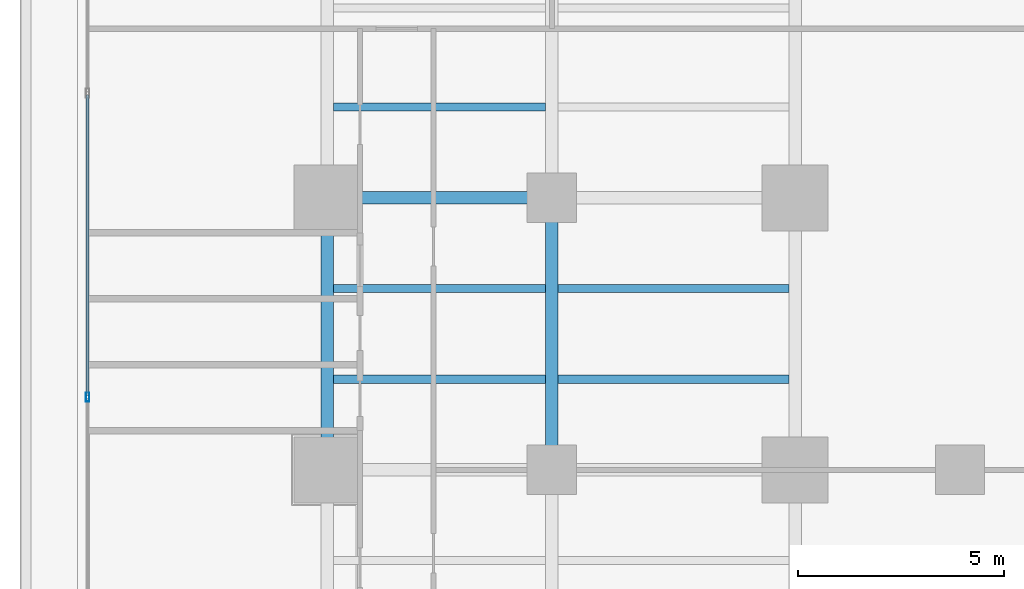
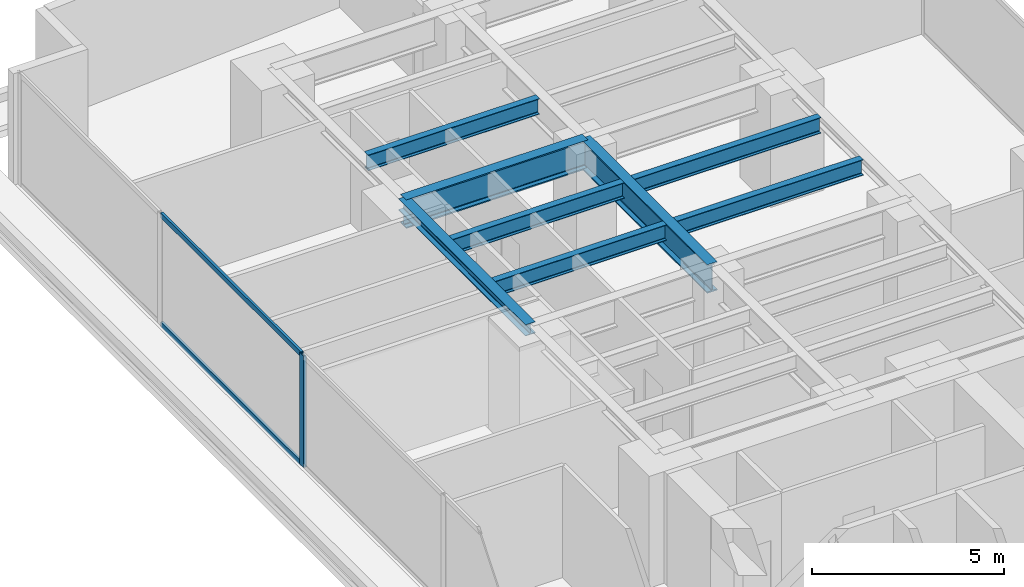
# One storey, part 15 of 29: 8 beams, 3 members, 1 element without a shape of its own.
"""IFC4 building model written with IfcOpenShell, lengths in metres."""

from ifc_helpers import new_model, si_unit, direction, frame, origin, origin_with_axes, origin_2d, place, context, subcontext, project, spatial, hollow_rectangle, i_section, extrude, source, transform, mapped, material, layer, layer_set, material_profile, profile_set, type_object, element, aggregate, save


model = new_model("IFC4")

# Units and contexts
model_context = context("Model", 3, precision=1e-05, world=origin(), true_north=direction((0.0, 1.0)))
body_context = subcontext(model_context, "Body", "Model", "MODEL_VIEW")
ifc_project = project(units=[si_unit("LENGTHUNIT", "METRE"), si_unit("AREAUNIT", "SQUARE_METRE"), si_unit("VOLUMEUNIT", "CUBIC_METRE"), si_unit("PLANEANGLEUNIT", "RADIAN"), si_unit("MASSUNIT", "GRAM", prefix="KILO")], contexts=[model_context])

# Site, building, storey
site_placement = place(None, origin())
site = spatial("IfcSite", under=ifc_project, at=site_placement, CompositionType="ELEMENT")
building_placement = place(site_placement, origin())
building = spatial("IfcBuilding", under=site, at=building_placement, Name="Kolvaren Waterfront Exchange", CompositionType="ELEMENT")
storey_placement = place(building_placement, frame((0.0, 0.0, 29.60009765625)))
storey = spatial("IfcBuildingStorey", under=building, at=storey_placement, Name="L07", CompositionType="ELEMENT", Elevation=29.60009765625)

# Beams
ifc_material_1 = material(Name="Steel S355", Category="steel")
ifc_material_profile_1 = material_profile(ifc_material_1, i_section(OverallWidth=0.300048828125, OverallDepth=0.360107421875, WebThickness=0.012451171875, FlangeThickness=0.0224609375, FilletRadius=0.027099609375, at=origin_2d()), Name="HEB360")
ifc_profile_set_1 = profile_set([ifc_material_profile_1], Name="Steel S355")
beam_type_1 = type_object("IfcBeamType", Name="STR-BM-HEB360", PredefinedType="SPANDREL", material=ifc_profile_set_1)
beam_1_placement = place(storey_placement, frame((7.449951171875, 31.199951171875, 3.35986328125), z_axis=(0.0, 1.0, 0.0), x_axis=(-1.0, 0.0, 0.0)))
element("IfcBeam", 1, at=beam_1_placement, inside=storey, type_object=beam_type_1, Name="L07 north-arm edge beam 2", PredefinedType="SPANDREL", context=body_context, shape_type="SweptSolid", body=[
    extrude(i_section(OverallWidth=0.300048828125, OverallDepth=0.360107421875, WebThickness=0.012451171875, FlangeThickness=0.0224609375, FilletRadius=0.027099609375, at=origin_2d()), origin(), (0.0, 0.0, 1.0), 6.60009765625),
])
ifc_material_profile_2 = material_profile(ifc_material_1, i_section(OverallWidth=0.199951171875, OverallDepth=0.5, WebThickness=0.01025390625, FlangeThickness=0.01611328125, FilletRadius=0.02099609375, at=origin_2d()), Name="IPE500")
ifc_profile_set_2 = profile_set([ifc_material_profile_2], Name="Steel S355")
beam_type_2 = type_object("IfcBeamType", Name="STR-BM-IPE500", PredefinedType="JOIST", material=ifc_profile_set_2)
beam_2_placement = place(storey_placement, frame((7.60205078125, 33.39990234375, 3.289794921875), z_axis=(1.0, 0.0, 0.0), x_axis=(0.0, 1.0, 0.0)))
element("IfcBeam", 2, at=beam_2_placement, inside=storey, type_object=beam_type_2, Name="L07 north-arm composite joist 3A", PredefinedType="JOIST", context=body_context, shape_type="SweptSolid", body=[
    extrude(i_section(OverallWidth=0.199951171875, OverallDepth=0.5, WebThickness=0.01025390625, FlangeThickness=0.01611328125, FilletRadius=0.02099609375, at=origin_2d()), origin(), (0.0, 0.0, 1.0), 5.14501953125),
])
beam_3_placement = place(storey_placement, frame((13.052978515625, 33.39990234375, 3.289794921875), z_axis=(1.0, 0.0, 0.0), x_axis=(0.0, 1.0, 0.0)))
element("IfcBeam", 3, at=beam_3_placement, inside=storey, type_object=beam_type_2, Name="L07 north-arm composite joist 3B", PredefinedType="JOIST", context=body_context, shape_type="SweptSolid", body=[
    extrude(i_section(OverallWidth=0.199951171875, OverallDepth=0.5, WebThickness=0.01025390625, FlangeThickness=0.01611328125, FilletRadius=0.02099609375, at=origin_2d()), origin(), (0.0, 0.0, 1.0), 5.594970703125),
])
beam_4_placement = place(storey_placement, frame((7.60205078125, 35.60009765625, 3.289794921875), z_axis=(1.0, 0.0, 0.0), x_axis=(0.0, 1.0, 0.0)))
element("IfcBeam", 4, at=beam_4_placement, inside=storey, type_object=beam_type_2, Name="L07 north-arm composite joist 4A", PredefinedType="JOIST", context=body_context, shape_type="SweptSolid", body=[
    extrude(i_section(OverallWidth=0.199951171875, OverallDepth=0.5, WebThickness=0.01025390625, FlangeThickness=0.01611328125, FilletRadius=0.02099609375, at=origin_2d()), origin(), (0.0, 0.0, 1.0), 5.14501953125),
])
beam_5_placement = place(storey_placement, frame((13.052978515625, 35.60009765625, 3.289794921875), z_axis=(1.0, 0.0, 0.0), x_axis=(0.0, 1.0, 0.0)))
element("IfcBeam", 5, at=beam_5_placement, inside=storey, type_object=beam_type_2, Name="L07 north-arm composite joist 4B", PredefinedType="JOIST", context=body_context, shape_type="SweptSolid", body=[
    extrude(i_section(OverallWidth=0.199951171875, OverallDepth=0.5, WebThickness=0.01025390625, FlangeThickness=0.01611328125, FilletRadius=0.02099609375, at=origin_2d()), origin(), (0.0, 0.0, 1.0), 5.594970703125),
])
beam_6_placement = place(storey_placement, frame((7.60205078125, 40.0, 3.289794921875), z_axis=(1.0, 0.0, 0.0), x_axis=(0.0, 1.0, 0.0)))
element("IfcBeam", 6, at=beam_6_placement, inside=storey, type_object=beam_type_2, Name="L07 north-arm composite joist 5A", PredefinedType="JOIST", context=body_context, shape_type="SweptSolid", body=[
    extrude(i_section(OverallWidth=0.199951171875, OverallDepth=0.5, WebThickness=0.01025390625, FlangeThickness=0.01611328125, FilletRadius=0.02099609375, at=origin_2d()), origin(), (0.0, 0.0, 1.0), 5.14501953125),
])
ifc_material_2 = material(Name="Steel S460", Category="steel")
ifc_material_profile_3 = material_profile(ifc_material_2, i_section(OverallWidth=0.302001953125, OverallDepth=0.909912109375, WebThickness=0.02099609375, FlangeThickness=0.0400390625, FilletRadius=0.030029296875, at=origin_2d()), Name="HEM900")
ifc_profile_set_3 = profile_set([ifc_material_profile_3], Name="Steel S460")
beam_type_3 = type_object("IfcBeamType", Name="STR-TRG-HEM900", PredefinedType="BEAM", material=ifc_profile_set_3)
beam_7_placement = place(storey_placement, frame((7.449951171875, 37.800048828125, 3.0849609375), z_axis=(1.0, 0.0, 0.0), x_axis=(0.0, 1.0, 0.0)))
element("IfcBeam", 7, at=beam_7_placement, inside=storey, type_object=beam_type_3, Name="L07 north-arm girder 3A", PredefinedType="BEAM", context=body_context, shape_type="SweptSolid", body=[
    extrude(i_section(OverallWidth=0.302001953125, OverallDepth=0.909912109375, WebThickness=0.02099609375, FlangeThickness=0.0400390625, FilletRadius=0.030029296875, at=origin_2d()), origin(), (0.0, 0.0, 1.0), 5.449951171875),
])
beam_8_placement = place(storey_placement, frame((12.89990234375, 31.199951171875, 3.0849609375), z_axis=(0.0, 1.0, 0.0), x_axis=(-1.0, 0.0, 0.0)))
element("IfcBeam", 8, at=beam_8_placement, inside=storey, type_object=beam_type_3, Name="L07 north-arm edge beam 2", PredefinedType="BEAM", context=body_context, shape_type="SweptSolid", body=[
    extrude(i_section(OverallWidth=0.302001953125, OverallDepth=0.909912109375, WebThickness=0.02099609375, FlangeThickness=0.0400390625, FilletRadius=0.030029296875, at=origin_2d()), origin(), (0.0, 0.0, 1.0), 6.60009765625),
])

# Curtain wall, members
ifc_material_3 = material(Name="Anodised aluminium 6063-T6", Category="aluminium")
ifc_layer = layer(ifc_material_3, 0.219970703125, Name="Anodised aluminium 6063-T6")
ifc_layer_set = layer_set([ifc_layer], Name="Anodised aluminium 6063-T6")
curtain_wall_type = type_object("IfcCurtainWallType", Name="ARC-CW-SYS2", PredefinedType="USERDEFINED", material=ifc_layer_set)
curtain_wall_placement = place(storey_placement, origin())
curtain_wall = element("IfcCurtainWall", 9, at=curtain_wall_placement, inside=storey, type_object=curtain_wall_type, Name="L07 stick curtain wall CW2 (CW-L07-W)", ObjectType="STICK CURTAIN WALL", PredefinedType="USERDEFINED")
ifc_material_profile_4 = material_profile(ifc_material_3, hollow_rectangle(XDim=0.080078125, YDim=0.219970703125, WallThickness=0.0048828125, at=origin_2d()), Name="ALU-MUL-220x80x5")
ifc_profile_set_4 = profile_set([ifc_material_profile_4], Name="Anodised aluminium 6063-T6")
member_type_1 = type_object("IfcMemberType", Name="ARC-CWM-220", PredefinedType="MULLION", material=ifc_profile_set_4)
shared_shape_1 = source(origin_with_axes(), body_context, "Body", "SweptSolid", [
    extrude(hollow_rectangle(XDim=0.080078125, YDim=0.219970703125, WallThickness=0.0048828125, at=origin_2d()), origin(), (0.0, 0.0, 1.0), 3.539794921875),
])
member_1_placement = place(storey_placement, frame((1.639892578125, 32.966552734375, 0.0), z_axis=(0.0, 0.0, 1.0), x_axis=(-1.0, 0.0, 0.0)))
member_1 = element("IfcMember", 10, at=member_1_placement, type_object=member_type_1, Name="CW2 mullion 5", PredefinedType="MULLION", context=body_context, shape_type="MappedRepresentation", body=[
    mapped(shared_shape_1, transform((0.0, 0.0, 0.0), x_axis=(1.0, 0.0, 0.0), y_axis=(0.0, 1.0, 0.0), z_axis=(0.0, 0.0, 1.0), scale=1.0)),
])
ifc_material_profile_5 = material_profile(ifc_material_3, hollow_rectangle(XDim=0.074951171875, YDim=0.159912109375, WallThickness=0.00439453125, at=origin_2d()), Name="ALU-TRN-160x75x4.5")
ifc_profile_set_5 = profile_set([ifc_material_profile_5], Name="Anodised aluminium 6063-T6")
member_type_2 = type_object("IfcMemberType", Name="ARC-CWT-160", PredefinedType="USERDEFINED", material=ifc_profile_set_5)
shared_shape_2 = source(origin_with_axes(), body_context, "Body", "SweptSolid", [
    extrude(hollow_rectangle(XDim=0.074951171875, YDim=0.159912109375, WallThickness=0.00439453125, at=origin_2d()), origin(), (0.0, 0.0, 1.0), 7.28662109375),
])
member_2_placement = place(storey_placement, frame((1.639892578125, 33.006591796875, 0.037353515625), z_axis=(0.0, 1.0, 0.0), x_axis=(-1.0, 0.0, 0.0)))
member_2 = element("IfcMember", 11, at=member_2_placement, type_object=member_type_2, Name="CW2 transom 5.1", ObjectType="TRANSOM", PredefinedType="USERDEFINED", context=body_context, shape_type="MappedRepresentation", body=[
    mapped(shared_shape_2, transform((0.0, 0.0, 0.0), x_axis=(1.0, 0.0, 0.0), y_axis=(0.0, 1.0, 0.0), z_axis=(0.0, 0.0, 1.0), scale=1.0)),
])
member_3_placement = place(storey_placement, frame((1.639892578125, 33.006591796875, 3.50244140625), z_axis=(0.0, 1.0, 0.0), x_axis=(-1.0, 0.0, 0.0)))
member_3 = element("IfcMember", 12, at=member_3_placement, type_object=member_type_2, Name="CW2 transom 5.2", ObjectType="TRANSOM", PredefinedType="USERDEFINED", context=body_context, shape_type="MappedRepresentation", body=[
    mapped(shared_shape_2, transform((0.0, 0.0, 0.0), x_axis=(1.0, 0.0, 0.0), y_axis=(0.0, 1.0, 0.0), z_axis=(0.0, 0.0, 1.0), scale=1.0)),
])
aggregate(curtain_wall, [member_1, member_2, member_3])

save(model, "model.ifc")
